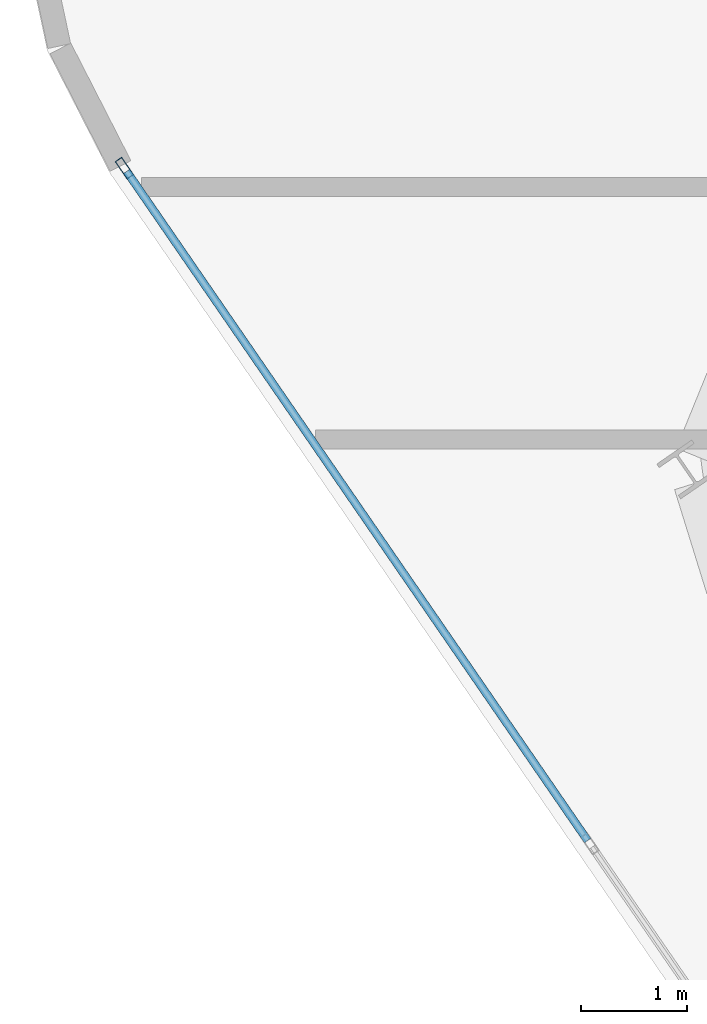
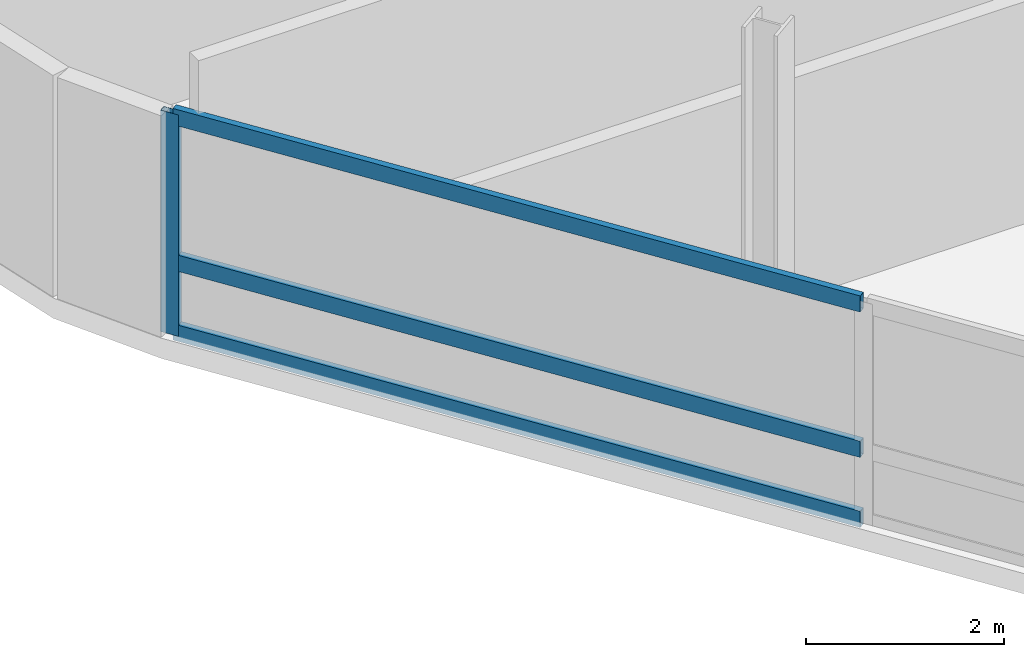
# One storey, part 6 of 21: 4 members, 1 element without a shape of its own.
"""IFC4 building model written with IfcOpenShell, lengths in metres."""

from ifc_helpers import new_model, si_unit, direction, frame, origin, origin_2d, place, context, subcontext, project, spatial, hollow_rectangle, extrude, material, layer, layer_set, material_profile, profile_set, type_object, element, aggregate, save


model = new_model("IFC4")

# Units and contexts
model_context = context("Model", 3, precision=1e-05, world=origin(), true_north=direction((0.0, 1.0)))
body_context = subcontext(model_context, "Body", "Model", "MODEL_VIEW")
ifc_project = project(units=[si_unit("LENGTHUNIT", "METRE"), si_unit("AREAUNIT", "SQUARE_METRE"), si_unit("VOLUMEUNIT", "CUBIC_METRE"), si_unit("PLANEANGLEUNIT", "RADIAN"), si_unit("MASSUNIT", "GRAM", prefix="KILO")], contexts=[model_context])

# Site, building, storey
site_placement = place(None, origin())
site = spatial("IfcSite", under=ifc_project, at=site_placement, CompositionType="ELEMENT")
building_placement = place(site_placement, origin())
building = spatial("IfcBuilding", under=site, at=building_placement, Name="Varnelok Gate Tower", CompositionType="ELEMENT")
storey_placement = place(building_placement, frame((0.0, 0.0, 269.300048828125)))
storey = spatial("IfcBuildingStorey", under=building, at=storey_placement, Name="L69", CompositionType="ELEMENT", Elevation=269.300048828125)

# Curtain wall, members
ifc_material = material(Name="Anodized Aluminum Alloy 6063-T6", Category="aluminium")
ifc_layer = layer(ifc_material, 0.179931640625)
ifc_layer_set = layer_set([ifc_layer], Name="Anodized Aluminum Alloy 6063-T6")
curtain_wall_type = type_object("IfcCurtainWallType", Name="CW4-RESIDENCE-VISION", PredefinedType="USERDEFINED", material=ifc_layer_set)
curtain_wall_placement = place(storey_placement, origin())
curtain_wall = element("IfcCurtainWall", 1, at=curtain_wall_placement, inside=storey, type_object=curtain_wall_type, Name="L69 West End Vision Curtain Wall", ObjectType="UNITISED CURTAIN WALL", PredefinedType="USERDEFINED")
ifc_material_profile_1 = material_profile(ifc_material, hollow_rectangle(XDim=0.074951171875, YDim=0.199951171875, WallThickness=0.00390625, at=origin_2d()), Name="ALU200X75X4")
ifc_profile_set_1 = profile_set([ifc_material_profile_1], Name="Anodized Aluminum Alloy 6063-T6")
member_type_1 = type_object("IfcMemberType", Name="CW-MULL-200", PredefinedType="MULLION", material=ifc_profile_set_1)
member_1_placement = place(storey_placement, frame((3.228271484375, 19.4189453125, 0.0), z_axis=(0.0, 0.0, 1.0), x_axis=(-0.823532290241, -0.567269395376, 0.0)))
member_1 = element("IfcMember", 2, at=member_1_placement, type_object=member_type_1, Name="CW4 mullion 5", PredefinedType="MULLION", context=body_context, shape_type="SweptSolid", body=[
    extrude(hollow_rectangle(XDim=0.074951171875, YDim=0.199951171875, WallThickness=0.00390625, at=origin_2d()), origin(), (0.0, 0.0, 1.0), 2.72998046875),
])
ifc_material_profile_2 = material_profile(ifc_material, hollow_rectangle(XDim=0.074951171875, YDim=0.199951171875, WallThickness=0.00390625, at=origin_2d()), Name="ALU200X75X4")
ifc_profile_set_2 = profile_set([ifc_material_profile_2], Name="Anodized Aluminum Alloy 6063-T6")
member_type_2 = type_object("IfcMemberType", Name="CW-TRAN-200", PredefinedType="USERDEFINED", material=ifc_profile_set_2)
member_2_placement = place(storey_placement, frame((7.6103515625, 13.05712890625, 0.037353515625), z_axis=(-0.567256418128, 0.82354122914, 0.0), x_axis=(-0.82354122914, -0.567256418128, 0.0)))
member_2 = element("IfcMember", 3, at=member_2_placement, type_object=member_type_2, Name="CW4 transom 4.1", ObjectType="TRANSOM", PredefinedType="USERDEFINED", context=body_context, shape_type="SweptSolid", body=[
    extrude(hollow_rectangle(XDim=0.074951171875, YDim=0.199951171875, WallThickness=0.00390625, at=origin_2d()), origin(), (0.0, 0.0, 1.0), 7.6875),
])
member_3_placement = place(storey_placement, frame((7.6103515625, 13.05712890625, 0.89990234375), z_axis=(-0.567256418128, 0.82354122914, 0.0), x_axis=(-0.82354122914, -0.567256418128, 0.0)))
member_3 = element("IfcMember", 4, at=member_3_placement, type_object=member_type_2, Name="CW4 transom 4.2", ObjectType="TRANSOM", PredefinedType="USERDEFINED", context=body_context, shape_type="SweptSolid", body=[
    extrude(hollow_rectangle(XDim=0.074951171875, YDim=0.199951171875, WallThickness=0.00390625, at=origin_2d()), origin(), (0.0, 0.0, 1.0), 7.6875),
])
member_4_placement = place(storey_placement, frame((7.6103515625, 13.05712890625, 2.6923828125), z_axis=(-0.567256418128, 0.82354122914, 0.0), x_axis=(-0.82354122914, -0.567256418128, 0.0)))
member_4 = element("IfcMember", 5, at=member_4_placement, type_object=member_type_2, Name="CW4 transom 4.3", ObjectType="TRANSOM", PredefinedType="USERDEFINED", context=body_context, shape_type="SweptSolid", body=[
    extrude(hollow_rectangle(XDim=0.074951171875, YDim=0.199951171875, WallThickness=0.00390625, at=origin_2d()), origin(), (0.0, 0.0, 1.0), 7.6875),
])
aggregate(curtain_wall, [member_1, member_2, member_3, member_4])

save(model, "model.ifc")
